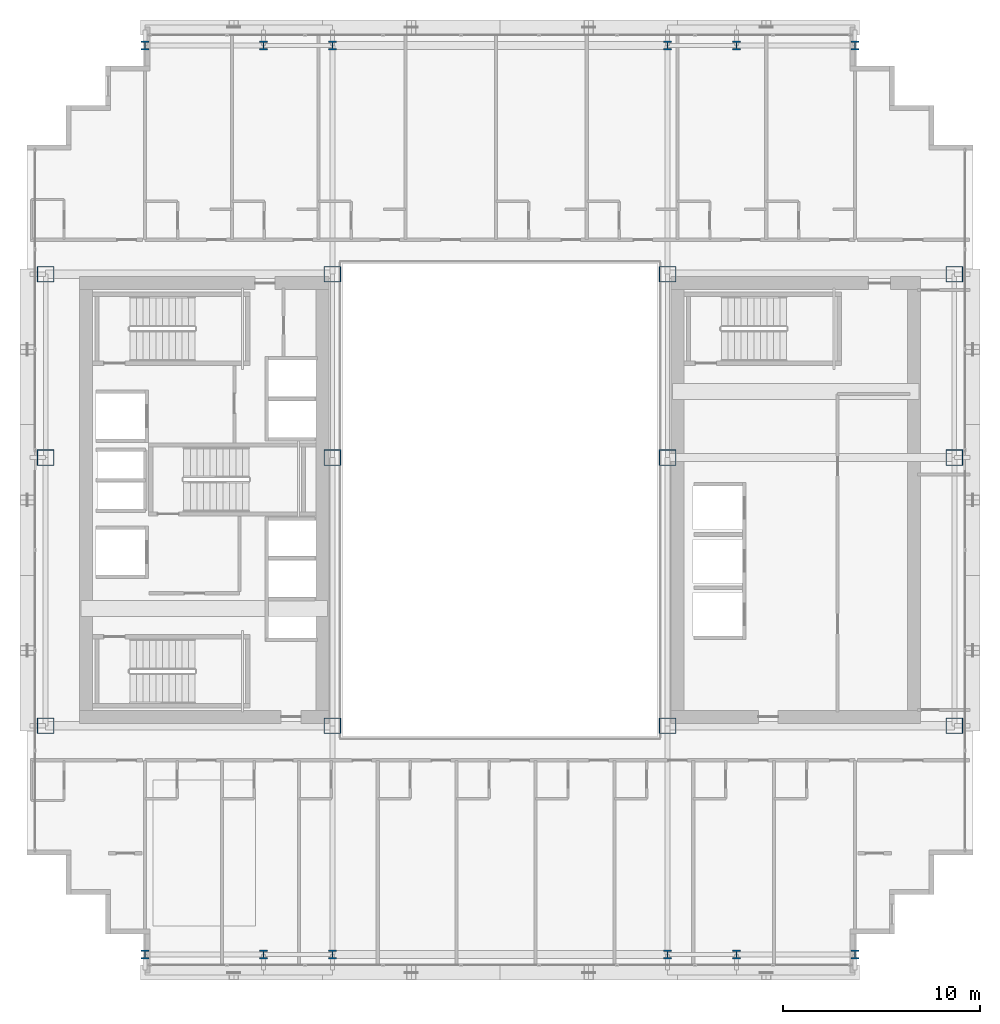
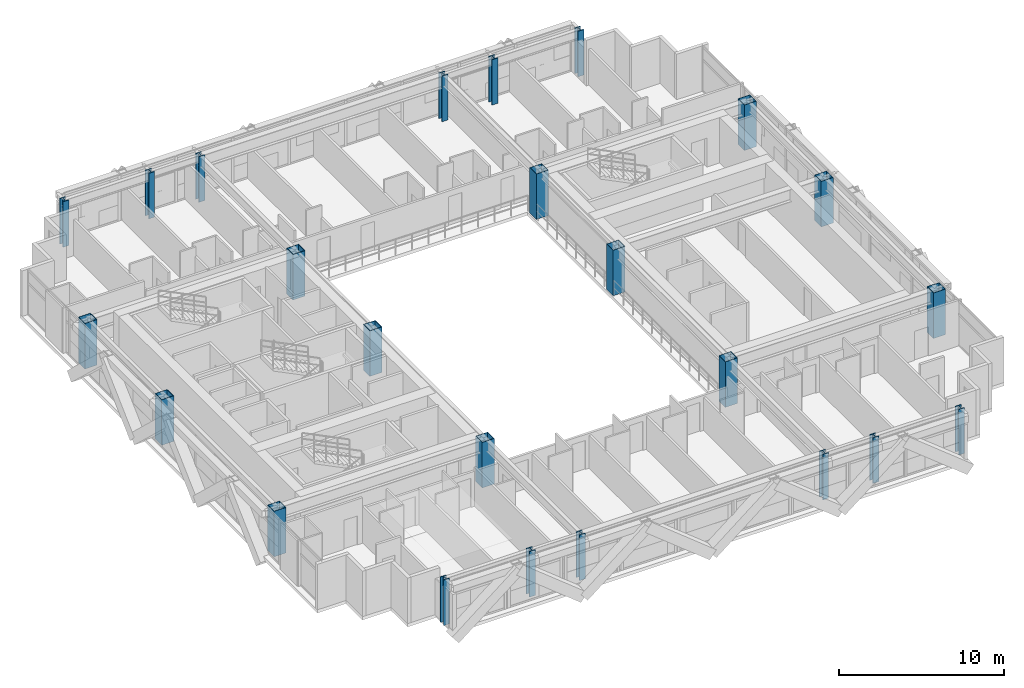
# One storey, part 1 of 36: 24 columns.
"""IFC4 building model written with IfcOpenShell, lengths in metres."""

from ifc_helpers import new_model, si_unit, direction, frame, origin, origin_2d, place, context, subcontext, project, spatial, hollow_rectangle, i_section, extrude, source, transform, mapped, material, material_profile, profile_set, type_object, element, save


model = new_model("IFC4")

# Units and contexts
model_context = context("Model", 3, precision=1e-05, world=origin(), true_north=direction((0.0, 1.0)))
body_context = subcontext(model_context, "Body", "Model", "MODEL_VIEW")
ifc_project = project(units=[si_unit("LENGTHUNIT", "METRE"), si_unit("AREAUNIT", "SQUARE_METRE"), si_unit("VOLUMEUNIT", "CUBIC_METRE"), si_unit("PLANEANGLEUNIT", "RADIAN"), si_unit("MASSUNIT", "GRAM", prefix="KILO")], contexts=[model_context])

# Site, building, storey
site_placement = place(None, origin())
site = spatial("IfcSite", under=ifc_project, at=site_placement, CompositionType="ELEMENT")
building_placement = place(site_placement, origin())
building = spatial("IfcBuilding", under=site, at=building_placement, Name="Ocotamira Hotel", CompositionType="ELEMENT")
storey_placement = place(building_placement, frame((0.0, 0.0, 133.199951171875)))
storey = spatial("IfcBuildingStorey", under=building, at=storey_placement, Name="L33", CompositionType="ELEMENT", Elevation=133.199951171875)

# Columns
ifc_material = material(Name="Steel ASTM A913 Grade 65", Category="steel")
ifc_material_profile_1 = material_profile(ifc_material, hollow_rectangle(XDim=0.85009765625, YDim=0.800048828125, WallThickness=0.031982421875, at=origin_2d()), Name="BOX800X850X32")
ifc_profile_set_1 = profile_set([ifc_material_profile_1], Name="Steel ASTM A913 Grade 65")
column_type_1 = type_object("IfcColumnType", Name="COL-BOX800", PredefinedType="COLUMN", material=ifc_profile_set_1)
shared_shape_1 = source(origin(), body_context, "Body", "SweptSolid", [
    extrude(hollow_rectangle(XDim=0.85009765625, YDim=0.800048828125, WallThickness=0.031982421875, at=origin_2d()), origin(), (0.0, 0.0, 1.0), 3.360107421875),
])
for number, where, z_axis, x_axis, name in (
    (1, (8.949951171875, 14.550048828125, 0.0), (0.0, 0.0, 1.0), (1.0, 0.0, 0.0), "L33 Column TW8_14"),
    (2, (23.5, 14.550048828125, 0.0), (0.0, 0.0, 1.0), (1.0, 0.0, 0.0), "L33 Column TW23_14"),
    (3, (40.5, 14.550048828125, 0.0), (0.0, 0.0, 1.0), (1.0, 0.0, 0.0), "L33 Column TE40_14"),
    (4, (55.050048828125, 14.550048828125, 0.0), (0.0, 0.0, 1.0), (1.0, 0.0, 0.0), "L33 Column TE55_14"),
    (5, (8.949951171875, 28.14990234375, 0.0), (0.0, 0.0, 1.0), (1.0, 0.0, 0.0), "L33 Column TW8_28"),
    (6, (23.5, 28.14990234375, 0.0), (0.0, 0.0, 1.0), (1.0, 0.0, 0.0), "L33 Column TW23_28"),
    (7, (40.5, 28.14990234375, 0.0), (0.0, 0.0, 1.0), (1.0, 0.0, 0.0), "L33 Column TE40_28"),
    (8, (55.050048828125, 28.14990234375, 0.0), (0.0, 0.0, 1.0), (1.0, 0.0, 0.0), "L33 Column TE55_28"),
    (9, (8.949951171875, 37.449951171875, 0.0), (0.0, 0.0, 1.0), (1.0, 0.0, 0.0), "L33 Column TW8_37"),
    (10, (23.5, 37.449951171875, 0.0), (0.0, 0.0, 1.0), (1.0, 0.0, 0.0), "L33 Column TW23_37"),
    (11, (40.5, 37.449951171875, 0.0), (0.0, 0.0, 1.0), (1.0, 0.0, 0.0), "L33 Column TE40_37"),
    (12, (55.050048828125, 37.449951171875, 0.0), (0.0, 0.0, 1.0), (1.0, 0.0, 0.0), "L33 Column TE55_37"),
):
    element("IfcColumn", number, at=place(storey_placement, frame(where, z_axis=z_axis, x_axis=x_axis)), inside=storey, type_object=column_type_1, Name=name, PredefinedType="COLUMN", context=body_context, shape_type="MappedRepresentation", body=[
        mapped(shared_shape_1, transform((0.0, 0.0, 0.0), scale=1.0)),
    ])
ifc_material_profile_2 = material_profile(ifc_material, i_section(OverallWidth=0.412109375, OverallDepth=0.43505859375, WebThickness=0.035888671875, FlangeThickness=0.057373046875, FilletRadius=0.02490234375, at=origin_2d()), Name="W14X311")
ifc_profile_set_2 = profile_set([ifc_material_profile_2], Name="Steel ASTM A913 Grade 65")
column_type_2 = type_object("IfcColumnType", Name="COL-W14X311", PredefinedType="COLUMN", material=ifc_profile_set_2)
shared_shape_2 = source(origin(), body_context, "Body", "SweptSolid", [
    extrude(i_section(OverallWidth=0.412109375, OverallDepth=0.43505859375, WebThickness=0.035888671875, FlangeThickness=0.057373046875, FilletRadius=0.02490234375, at=origin_2d()), origin(), (0.0, 0.0, 1.0), 3.360107421875),
])
for number, where, z_axis, x_axis, name in (
    (13, (14.0, 2.949951171875, 0.0), (0.0, 0.0, 1.0), (1.0, 0.0, 0.0), "L33 Column NSP1_14"),
    (14, (20.0, 2.949951171875, 0.0), (0.0, 0.0, 1.0), (1.0, 0.0, 0.0), "L33 Column NSP1_20"),
    (15, (23.5, 2.949951171875, 0.0), (0.0, 0.0, 1.0), (1.0, 0.0, 0.0), "L33 Column NSP1_23"),
    (16, (40.5, 2.949951171875, 0.0), (0.0, 0.0, 1.0), (1.0, 0.0, 0.0), "L33 Column NSP1_40"),
    (17, (44.0, 2.949951171875, 0.0), (0.0, 0.0, 1.0), (1.0, 0.0, 0.0), "L33 Column NSP1_44"),
    (18, (50.0, 2.949951171875, 0.0), (0.0, 0.0, 1.0), (1.0, 0.0, 0.0), "L33 Column NSP1_50"),
    (19, (14.0, 49.050048828125, 0.0), (0.0, 0.0, 1.0), (1.0, 0.0, 0.0), "L33 Column NSP2_14"),
    (20, (20.0, 49.050048828125, 0.0), (0.0, 0.0, 1.0), (1.0, 0.0, 0.0), "L33 Column NSP2_20"),
    (21, (23.5, 49.050048828125, 0.0), (0.0, 0.0, 1.0), (1.0, 0.0, 0.0), "L33 Column NSP2_23"),
    (22, (40.5, 49.050048828125, 0.0), (0.0, 0.0, 1.0), (1.0, 0.0, 0.0), "L33 Column NSP2_40"),
    (23, (44.0, 49.050048828125, 0.0), (0.0, 0.0, 1.0), (1.0, 0.0, 0.0), "L33 Column NSP2_44"),
    (24, (50.0, 49.050048828125, 0.0), (0.0, 0.0, 1.0), (1.0, 0.0, 0.0), "L33 Column NSP2_50"),
):
    element("IfcColumn", number, at=place(storey_placement, frame(where, z_axis=z_axis, x_axis=x_axis)), inside=storey, type_object=column_type_2, Name=name, PredefinedType="COLUMN", context=body_context, shape_type="MappedRepresentation", body=[
        mapped(shared_shape_2, transform((0.0, 0.0, 0.0), scale=1.0)),
    ])

save(model, "model.ifc")
